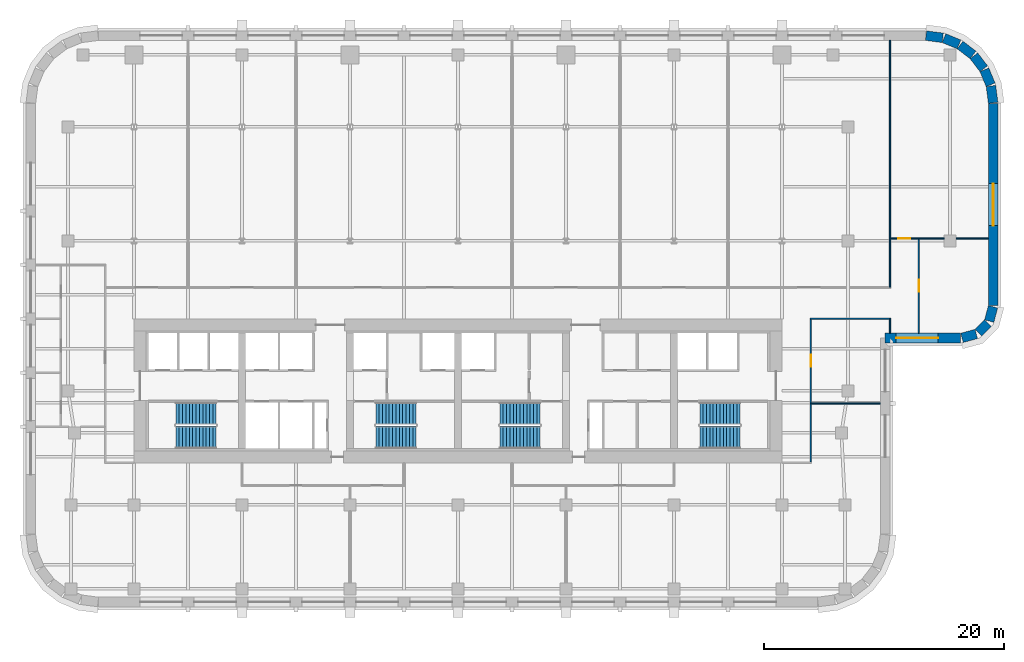
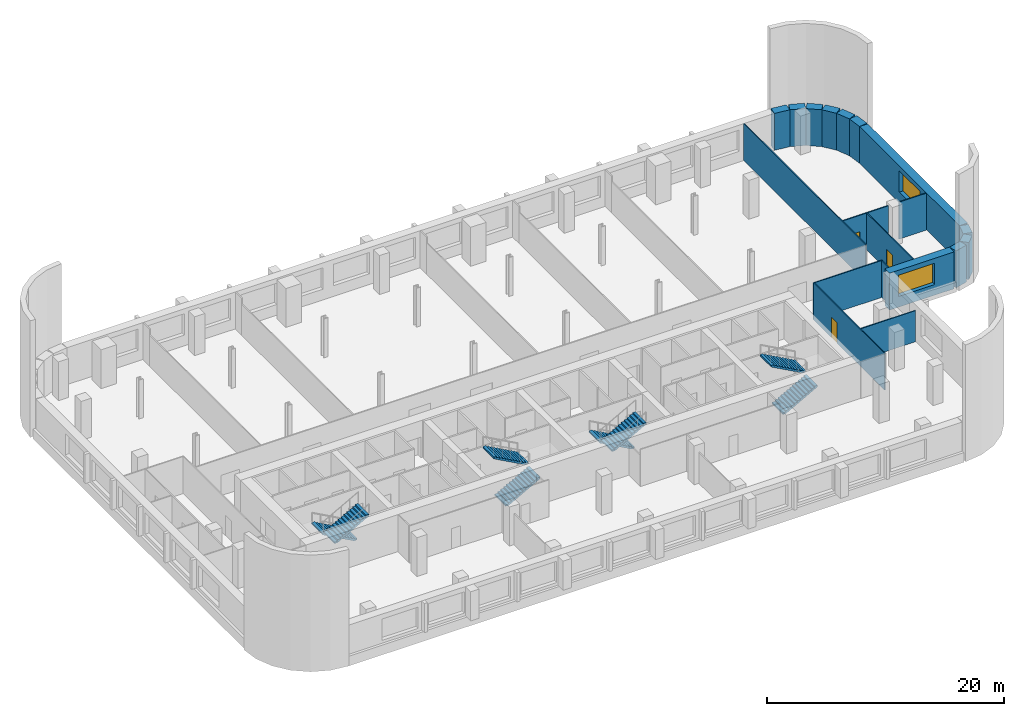
# One storey, part 7 of 9: 19 walls, 8 stair flights, 3 doors, 2 windows, 5 openings, 4 elements without a shape of their own.
"""IFC4 building model written with IfcOpenShell, lengths in metres."""

from ifc_helpers import new_model, si_unit, direction, frame, frame_2d, origin, place, context, subcontext, project, spatial, polyline, rectangle, outline, extrude, material, layer, layer_set, type_object, element, fill, aggregate, save


model = new_model("IFC4")

# Units and contexts
model_context = context("Model", 3, precision=1e-05, world=origin(), true_north=direction((0.0, 1.0)))
body_context = subcontext(model_context, "Body", "Model", "MODEL_VIEW")
ifc_project = project(units=[si_unit("LENGTHUNIT", "METRE"), si_unit("AREAUNIT", "SQUARE_METRE"), si_unit("VOLUMEUNIT", "CUBIC_METRE"), si_unit("PLANEANGLEUNIT", "RADIAN"), si_unit("MASSUNIT", "GRAM", prefix="KILO")], contexts=[model_context])

# Site, building, storey
site_placement = place(None, origin())
site = spatial("IfcSite", under=ifc_project, at=site_placement, CompositionType="ELEMENT")
building_placement = place(site_placement, origin())
building = spatial("IfcBuilding", under=site, at=building_placement, Name="Zellij Exchange Tower", CompositionType="ELEMENT")
storey_placement = place(building_placement, frame((0.0, 0.0, 132.5)))
storey = spatial("IfcBuildingStorey", under=building, at=storey_placement, Name="L29", CompositionType="ELEMENT", Elevation=132.5)

# Wall, opening, window
ifc_material_1 = material(Name="Precast concrete C40/50", Category="concrete")
ifc_layer_1 = layer(ifc_material_1, 0.800048828125)
ifc_layer_set_1 = layer_set([ifc_layer_1], Name="Precast concrete C40/50")
wall_type_1 = type_object("IfcWallType", Name="ENV-EW1 Precast stone-piered wall 800", PredefinedType="SOLIDWALL", material=ifc_layer_set_1)
wall_1_placement = place(storey_placement, frame((35.60009765625, -3.60009765625, 0.0), z_axis=(0.0, 0.0, 1.0), x_axis=(1.0, 0.0, 0.0)))
wall_1 = element("IfcWall", 1, at=wall_1_placement, inside=storey, type_object=wall_type_1, Name="fac.L29.08", PredefinedType="SOLIDWALL", context=body_context, shape_type="SweptSolid", body=[
    extrude(rectangle(XDim=6.29443359375, YDim=0.800048828125, at=frame_2d((3.147216796875, 0.0))), origin(), (0.0, 0.0, 1.0), 3.800048828125),
])
opening_1_placement = place(wall_1_placement, frame((0.89990234375, 0.0, 1.10009765625)))
opening_1 = element("IfcOpeningElement", 2, at=opening_1_placement, cuts=wall_1, Name="Opening FZ2.15", PredefinedType="OPENING", context=body_context, shape_type="SweptSolid", body=[
    extrude(rectangle(XDim=3.5, YDim=2.199951171875, at=frame_2d((1.75, 1.10009765625))), frame((0.0, 0.412109375, 0.0), z_axis=(0.0, -1.0, 0.0), x_axis=(1.0, 0.0, 0.0)), (0.0, 0.0, 1.0), 0.823974609375),
])
ifc_material_2 = material(Name="Aluminium frame with insulating glass", Category="aluminium")
window_type = type_object("IfcWindowType", Name="ENV-W7 Window 3500x2200", PartitioningType="SINGLE_PANEL", PredefinedType="WINDOW", material=ifc_material_2)
window_1_placement = place(opening_1_placement, origin())
window_1 = element("IfcWindow", 3, at=window_1_placement, inside=storey, type_object=window_type, Name="Window FZ2.15", OverallHeight=2.199951171875, OverallWidth=3.5, PartitioningType="SINGLE_PANEL", PredefinedType="WINDOW", context=body_context, shape_type="SweptSolid", body=[
    extrude(rectangle(XDim=3.5, YDim=2.199951171875, at=frame_2d((1.75, 1.10009765625))), frame((0.0, 0.030029296875, 0.0), z_axis=(0.0, -1.0, 0.0), x_axis=(1.0, 0.0, 0.0)), (0.0, 0.0, 1.0), 0.06005859375),
])
fill(opening_1, window_1)

# Walls
wall_2_placement = place(storey_placement, frame((41.998291015625, -3.58642578125, 0.0), z_axis=(0.0, 0.0, 1.0), x_axis=(0.965892366842, 0.258943885187, 0.0)))
element("IfcWall", 4, at=wall_2_placement, inside=storey, type_object=wall_type_1, Name="fac.L29.09", PredefinedType="SOLIDWALL", context=body_context, shape_type="SweptSolid", body=[
    extrude(rectangle(XDim=1.233154296875, YDim=0.800048828125, at=frame_2d((0.61669921875, 0.0))), origin(), (0.0, 0.0, 1.0), 3.800048828125),
])
wall_3_placement = place(storey_placement, frame((43.36865234375, -3.163818359375, 0.0), z_axis=(0.0, 0.0, 1.0), x_axis=(0.707106781187, 0.707106781187, 0.0)))
element("IfcWall", 5, at=wall_3_placement, inside=storey, type_object=wall_type_1, Name="fac.L29.10", PredefinedType="SOLIDWALL", context=body_context, shape_type="SweptSolid", body=[
    extrude(rectangle(XDim=1.12451171875, YDim=0.800048828125, at=frame_2d((0.562255859375, 0.0))), origin(), (0.0, 0.0, 1.0), 3.800048828125),
])
wall_4_placement = place(storey_placement, frame((44.26708984375, -2.189453125, 0.0), z_axis=(0.0, 0.0, 1.0), x_axis=(0.258943885187, 0.965892366842, 0.0)))
element("IfcWall", 6, at=wall_4_placement, inside=storey, type_object=wall_type_1, Name="fac.L29.11", PredefinedType="SOLIDWALL", context=body_context, shape_type="SweptSolid", body=[
    extrude(rectangle(XDim=1.233154296875, YDim=0.800048828125, at=frame_2d((0.61669921875, 0.0))), origin(), (0.0, 0.0, 1.0), 3.800048828125),
])

# Wall, opening, window
wall_5_placement = place(storey_placement, frame((44.60009765625, -0.89453125, 0.0), z_axis=(0.0, 0.0, 1.0), x_axis=(0.0, 1.0, 0.0)))
wall_5 = element("IfcWall", 7, at=wall_5_placement, inside=storey, type_object=wall_type_1, Name="fac.L29.12", PredefinedType="SOLIDWALL", context=body_context, shape_type="SweptSolid", body=[
    extrude(rectangle(XDim=16.842041015625, YDim=0.800048828125, at=frame_2d((8.4208984375, 0.0))), origin(), (0.0, 0.0, 1.0), 3.800048828125),
])
opening_2_placement = place(wall_5_placement, frame((6.657958984375, 0.0, 1.10009765625)))
opening_2 = element("IfcOpeningElement", 8, at=opening_2_placement, cuts=wall_5, Name="Opening FZ2.16", PredefinedType="OPENING", context=body_context, shape_type="SweptSolid", body=[
    extrude(rectangle(XDim=3.5, YDim=2.199951171875, at=frame_2d((1.75, 1.10009765625))), frame((0.0, 0.412109375, 0.0), z_axis=(0.0, -1.0, 0.0), x_axis=(1.0, 0.0, 0.0)), (0.0, 0.0, 1.0), 0.823974609375),
])
window_2_placement = place(opening_2_placement, origin())
window_2 = element("IfcWindow", 9, at=window_2_placement, inside=storey, type_object=window_type, Name="Window FZ2.16", OverallHeight=2.199951171875, OverallWidth=3.5, PartitioningType="SINGLE_PANEL", PredefinedType="WINDOW", context=body_context, shape_type="SweptSolid", body=[
    extrude(rectangle(XDim=3.5, YDim=2.199951171875, at=frame_2d((1.75, 1.10009765625))), frame((0.0, 0.030029296875, 0.0), z_axis=(0.0, -1.0, 0.0), x_axis=(1.0, 0.0, 0.0)), (0.0, 0.0, 1.0), 0.06005859375),
])
fill(opening_2, window_2)

# Walls
wall_6_placement = place(storey_placement, frame((44.5966796875, 15.999755859375, 0.0), z_axis=(0.0, 0.0, 1.0), x_axis=(-0.130517283865, 0.99144603414, 0.0)))
element("IfcWall", 10, at=wall_6_placement, inside=storey, type_object=wall_type_1, Name="fac.L29.13", PredefinedType="SOLIDWALL", context=body_context, shape_type="SweptSolid", body=[
    extrude(rectangle(XDim=1.408447265625, YDim=0.800048828125, at=frame_2d((0.7041015625, 0.0))), origin(), (0.0, 0.0, 1.0), 3.800048828125),
])
wall_7_placement = place(storey_placement, frame((44.3857421875, 17.497314453125, 0.0), z_axis=(0.0, 0.0, 1.0), x_axis=(-0.38276009378, 0.923847774587, 0.0)))
element("IfcWall", 11, at=wall_7_placement, inside=storey, type_object=wall_type_1, Name="fac.L29.14", PredefinedType="SOLIDWALL", context=body_context, shape_type="SweptSolid", body=[
    extrude(rectangle(XDim=1.35546875, YDim=0.800048828125, at=frame_2d((0.677734375, 0.0))), origin(), (0.0, 0.0, 1.0), 3.800048828125),
])
for number, where, z_axis, x_axis, name in (
    (12, (43.814697265625, 18.840087890625, 0.0), (0.0, 0.0, 1.0), (-0.608866226366, 0.793272915452, 0.0), "fac.L29.15"),
    (13, (42.91552734375, 19.9892578125, 0.0), (0.0, 0.0, 1.0), (-0.793272915452, 0.608866226366, 0.0), "fac.L29.16"),
):
    element("IfcWall", number, at=place(storey_placement, frame(where, z_axis=z_axis, x_axis=x_axis)), inside=storey, type_object=wall_type_1, Name=name, PredefinedType="SOLIDWALL", context=body_context, shape_type="SweptSolid", body=[
        extrude(rectangle(XDim=1.355712890625, YDim=0.800048828125, at=frame_2d((0.677734375, 0.0))), origin(), (0.0, 0.0, 1.0), 3.800048828125),
    ])
wall_8_placement = place(storey_placement, frame((41.74951171875, 20.866943359375, 0.0), z_axis=(0.0, 0.0, 1.0), x_axis=(-0.923847774587, 0.38276009378, 0.0)))
element("IfcWall", 14, at=wall_8_placement, inside=storey, type_object=wall_type_1, Name="fac.L29.17", PredefinedType="SOLIDWALL", context=body_context, shape_type="SweptSolid", body=[
    extrude(rectangle(XDim=1.35546875, YDim=0.800048828125, at=frame_2d((0.677734375, 0.0))), origin(), (0.0, 0.0, 1.0), 3.800048828125),
])
wall_9_placement = place(storey_placement, frame((40.396240234375, 21.412841796875, 0.0), z_axis=(0.0, 0.0, 1.0), x_axis=(-0.99144603414, 0.130517283865, 0.0)))
element("IfcWall", 15, at=wall_9_placement, inside=storey, type_object=wall_type_1, Name="fac.L29.18", PredefinedType="SOLIDWALL", context=body_context, shape_type="SweptSolid", body=[
    extrude(rectangle(XDim=1.408447265625, YDim=0.800048828125, at=frame_2d((0.7041015625, 0.0))), origin(), (0.0, 0.0, 1.0), 3.800048828125),
])

# Wall, opening, door
ifc_material_3 = material(Name="Gypsum board partition on steel studs", Category="steel")
ifc_layer_2 = layer(ifc_material_3, 0.10009765625)
ifc_layer_set_2 = layer_set([ifc_layer_2], Name="Gypsum board partition on steel studs")
wall_type_2 = type_object("IfcWallType", Name="FIT-PARTITION-100", PredefinedType="PARTITIONING", material=ifc_layer_set_2)
wall_10_placement = place(storey_placement, frame((29.39990234375, -13.949951171875, 0.0), z_axis=(0.0, 0.0, 1.0), x_axis=(0.0, 1.0, 0.0)))
wall_10 = element("IfcWall", 16, at=wall_10_placement, inside=storey, type_object=wall_type_2, Name="FIT-PARTITION-100 014", PredefinedType="PARTITIONING", context=body_context, shape_type="SweptSolid", body=[
    extrude(rectangle(XDim=11.89990234375, YDim=0.10009765625, at=frame_2d((5.949951171875, 0.0))), origin(), (0.0, 0.0, 1.0), 3.800048828125),
])
opening_3_placement = place(wall_10_placement, frame((7.93994140625, 0.0, 0.0)))
opening_3 = element("IfcOpeningElement", 17, at=opening_3_placement, cuts=wall_10, Name="Opening TG.05", PredefinedType="OPENING", context=body_context, shape_type="SweptSolid", body=[
    extrude(rectangle(XDim=1.0, YDim=2.10009765625, at=frame_2d((0.5, 1.050048828125))), frame((0.0, 0.06201171875, 0.0), z_axis=(0.0, -1.0, 0.0), x_axis=(1.0, 0.0, 0.0)), (0.0, 0.0, 1.0), 0.1240234375),
])
ifc_material_4 = material(Name="Timber door set", Category="wood")
door_type = type_object("IfcDoorType", Name="FIT-D2-WIDE-1000X2100", OperationType="SINGLE_SWING_LEFT", PredefinedType="DOOR", material=ifc_material_4)
door_1_placement = place(opening_3_placement, origin())
door_1 = element("IfcDoor", 18, at=door_1_placement, inside=storey, type_object=door_type, Name="Door TG.05", OperationType="SINGLE_SWING_RIGHT", OverallHeight=2.10009765625, OverallWidth=1.0, PredefinedType="DOOR", context=body_context, shape_type="SweptSolid", body=[
    extrude(rectangle(XDim=1.0, YDim=2.10009765625, at=frame_2d((0.5, 1.050048828125))), frame((0.0, 0.02490234375, 0.0), z_axis=(0.0, -1.0, 0.0), x_axis=(1.0, 0.0, 0.0)), (0.0, 0.0, 1.0), 0.050048828125),
])
fill(opening_3, door_1)

# Walls
wall_11_placement = place(storey_placement, frame((29.449951171875, -9.06005859375, 0.0), z_axis=(0.0, 0.0, 1.0), x_axis=(1.0, 0.0, 0.0)))
element("IfcWall", 19, at=wall_11_placement, inside=storey, type_object=wall_type_2, Name="FIT-PARTITION-100 018", PredefinedType="PARTITIONING", context=body_context, shape_type="SweptSolid", body=[
    extrude(rectangle(XDim=5.75, YDim=0.10009765625, at=frame_2d((2.875, 0.0))), origin(), (0.0, 0.0, 1.0), 3.197998046875),
])
wall_12_placement = place(storey_placement, frame((36.0, -3.199951171875, 0.0), z_axis=(0.0, 0.0, 1.0), x_axis=(0.0, 1.0, 0.0)))
element("IfcWall", 20, at=wall_12_placement, inside=storey, type_object=wall_type_2, Name="FIT-PARTITION-100 020", PredefinedType="PARTITIONING", context=body_context, shape_type="SweptSolid", body=[
    extrude(rectangle(XDim=1.14990234375, YDim=0.10009765625, at=frame_2d((0.574951171875, 0.0))), origin(), (0.0, 0.0, 1.0), 3.800048828125),
])

# Wall, opening, door
wall_13_placement = place(storey_placement, frame((38.39990234375, -3.199951171875, 0.0), z_axis=(0.0, 0.0, 1.0), x_axis=(0.0, 1.0, 0.0)))
wall_13 = element("IfcWall", 21, at=wall_13_placement, inside=storey, type_object=wall_type_2, Name="FIT-PARTITION-100 021", PredefinedType="PARTITIONING", context=body_context, shape_type="SweptSolid", body=[
    extrude(rectangle(XDim=7.83984375, YDim=0.10009765625, at=frame_2d((3.919921875, 0.0))), origin(), (0.0, 0.0, 1.0), 3.800048828125),
])
opening_4_placement = place(wall_13_placement, frame((3.449951171875, 0.0, 0.0)))
opening_4 = element("IfcOpeningElement", 22, at=opening_4_placement, cuts=wall_13, Name="Opening TG.16", PredefinedType="OPENING", context=body_context, shape_type="SweptSolid", body=[
    extrude(rectangle(XDim=1.0, YDim=2.10009765625, at=frame_2d((0.5, 1.050048828125))), frame((0.0, 0.06201171875, 0.0), z_axis=(0.0, -1.0, 0.0), x_axis=(1.0, 0.0, 0.0)), (0.0, 0.0, 1.0), 0.1240234375),
])
door_2_placement = place(opening_4_placement, origin())
door_2 = element("IfcDoor", 23, at=door_2_placement, inside=storey, type_object=door_type, Name="Door TG.16", OperationType="SINGLE_SWING_RIGHT", OverallHeight=2.10009765625, OverallWidth=1.0, PredefinedType="DOOR", context=body_context, shape_type="SweptSolid", body=[
    extrude(rectangle(XDim=1.0, YDim=2.10009765625, at=frame_2d((0.5, 1.050048828125))), frame((0.0, 0.02490234375, 0.0), z_axis=(0.0, -1.0, 0.0), x_axis=(1.0, 0.0, 0.0)), (0.0, 0.0, 1.0), 0.050048828125),
])
fill(opening_4, door_2)

# Walls
wall_14_placement = place(storey_placement, frame((29.35009765625, -2.0, 0.0), z_axis=(0.0, 0.0, 1.0), x_axis=(1.0, 0.0, 0.0)))
element("IfcWall", 24, at=wall_14_placement, inside=storey, type_object=wall_type_2, Name="FIT-PARTITION-100 023", PredefinedType="PARTITIONING", context=body_context, shape_type="SweptSolid", body=[
    extrude(rectangle(XDim=6.699951171875, YDim=0.10009765625, at=frame_2d((3.35009765625, 0.0))), origin(), (0.0, 0.0, 1.0), 3.800048828125),
])
wall_15_placement = place(storey_placement, frame((36.0, 0.64990234375, 0.0), z_axis=(0.0, 0.0, 1.0), x_axis=(0.0, 1.0, 0.0)))
element("IfcWall", 25, at=wall_15_placement, inside=storey, type_object=wall_type_2, Name="FIT-PARTITION-100 035", PredefinedType="PARTITIONING", context=body_context, shape_type="SweptSolid", body=[
    extrude(rectangle(XDim=20.550048828125, YDim=0.10009765625, at=frame_2d((10.27490234375, 0.0))), origin(), (0.0, 0.0, 1.0), 3.800048828125),
])

# Wall, opening, door
wall_16_placement = place(storey_placement, frame((36.050048828125, 4.68994140625, 0.0), z_axis=(0.0, 0.0, 1.0), x_axis=(1.0, 0.0, 0.0)))
wall_16 = element("IfcWall", 26, at=wall_16_placement, inside=storey, type_object=wall_type_2, Name="FIT-PARTITION-100 037", PredefinedType="PARTITIONING", context=body_context, shape_type="SweptSolid", body=[
    extrude(rectangle(XDim=4.449951171875, YDim=0.10009765625, at=frame_2d((2.22509765625, 0.0))), origin(), (0.0, 0.0, 1.0), 3.800048828125),
])
opening_5_placement = place(wall_16_placement, frame((0.64990234375, 0.0, 0.0)))
opening_5 = element("IfcOpeningElement", 27, at=opening_5_placement, cuts=wall_16, Name="Opening TG.17", PredefinedType="OPENING", context=body_context, shape_type="SweptSolid", body=[
    extrude(rectangle(XDim=1.0, YDim=2.10009765625, at=frame_2d((0.5, 1.050048828125))), frame((0.0, 0.06201171875, 0.0), z_axis=(0.0, -1.0, 0.0), x_axis=(1.0, 0.0, 0.0)), (0.0, 0.0, 1.0), 0.1240234375),
])
door_3_placement = place(opening_5_placement, origin())
door_3 = element("IfcDoor", 28, at=door_3_placement, inside=storey, type_object=door_type, Name="Door TG.17", OperationType="SINGLE_SWING_LEFT", OverallHeight=2.10009765625, OverallWidth=1.0, PredefinedType="DOOR", context=body_context, shape_type="SweptSolid", body=[
    extrude(rectangle(XDim=1.0, YDim=2.10009765625, at=frame_2d((0.5, 1.050048828125))), frame((0.0, 0.02490234375, 0.0), z_axis=(0.0, -1.0, 0.0), x_axis=(1.0, 0.0, 0.0)), (0.0, 0.0, 1.0), 0.050048828125),
])
fill(opening_5, door_3)

# Wall
wall_17_placement = place(storey_placement, frame((41.5, 4.68994140625, 0.0), z_axis=(0.0, 0.0, 1.0), x_axis=(1.0, 0.0, 0.0)))
element("IfcWall", 29, at=wall_17_placement, inside=storey, type_object=wall_type_2, Name="FIT-PARTITION-100 038", PredefinedType="PARTITIONING", context=body_context, shape_type="SweptSolid", body=[
    extrude(rectangle(XDim=2.699951171875, YDim=0.10009765625, at=frame_2d((1.35009765625, 0.0))), origin(), (0.0, 0.0, 1.0), 3.800048828125),
])

# Stair, stair flights
ifc_material_5 = material(Name="Concrete C40/50", Category="concrete")
stair_type = type_object("IfcStairType", Name="CORE-ST exit stair 1850 wide", PredefinedType="HALF_TURN_STAIR", material=ifc_material_5)
stair_1_placement = place(storey_placement, origin())
stair_1 = element("IfcStair", 30, at=stair_1_placement, inside=storey, type_object=stair_type, Name="L29 exit stair ST1", PredefinedType="HALF_TURN_STAIR")
stair_flight_type = type_object("IfcStairFlightType", Name="CORE-SF flight 1850 riser 153.8 going 280", PredefinedType="STRAIGHT", material=ifc_material_5)
stair_flight_1_placement = place(storey_placement, frame((-20.14990234375, -9.875, 0.0), z_axis=(0.0, 0.0, 1.0), x_axis=(-1.0, 0.0, 0.0)))
stair_flight_1 = element("IfcStairFlight", 31, at=stair_flight_1_placement, type_object=stair_flight_type, Name="ST1 flight 1", NumberOfRisers=13, NumberOfTreads=12, PredefinedType="STRAIGHT", RiserHeight=0.153846154, TreadLength=0.28, context=body_context, shape_type="SweptSolid", body=[
    extrude(outline(polyline([(0.0, 0.0), (0.0, 0.15380859375), (0.280029296875, 0.15380859375), (0.280029296875, 0.3076171875), (0.56005859375, 0.3076171875), (0.56005859375, 0.46142578125), (0.840087890625, 0.46142578125), (0.840087890625, 0.615478515625), (1.1201171875, 0.615478515625), (1.1201171875, 0.769287109375), (1.39990234375, 0.769287109375), (1.39990234375, 0.923095703125), (1.679931640625, 0.923095703125), (1.679931640625, 1.076904296875), (1.9599609375, 1.076904296875), (1.9599609375, 1.230712890625), (2.239990234375, 1.230712890625), (2.239990234375, 1.384521484375), (2.52001953125, 1.384521484375), (2.52001953125, 1.53857421875), (2.800048828125, 1.53857421875), (2.800048828125, 1.6923828125), (3.080078125, 1.6923828125), (3.080078125, 1.84619140625), (3.360107421875, 1.84619140625), (3.360107421875, 2.0), (3.360107421875, 1.675048828125), (0.311279296875, 0.0), (0.0, 0.0)])), frame((0.0, 0.925048828125, 0.0), z_axis=(0.0, -1.0, 0.0), x_axis=(1.0, 0.0, 0.0)), (0.0, 0.0, 1.0), 1.85009765625),
])
stair_flight_2_placement = place(storey_placement, frame((-23.510009765625, -11.875, 2.0), z_axis=(0.0, 0.0, 1.0), x_axis=(1.0, 0.0, 0.0)))
stair_flight_2 = element("IfcStairFlight", 32, at=stair_flight_2_placement, type_object=stair_flight_type, Name="ST1 flight 2", NumberOfRisers=13, NumberOfTreads=12, PredefinedType="STRAIGHT", RiserHeight=0.153846154, TreadLength=0.28, context=body_context, shape_type="SweptSolid", body=[
    extrude(outline(polyline([(0.0, 0.0), (0.0, 0.15380859375), (0.280029296875, 0.15380859375), (0.280029296875, 0.3076171875), (0.56005859375, 0.3076171875), (0.56005859375, 0.46142578125), (0.840087890625, 0.46142578125), (0.840087890625, 0.615478515625), (1.1201171875, 0.615478515625), (1.1201171875, 0.769287109375), (1.39990234375, 0.769287109375), (1.39990234375, 0.923095703125), (1.679931640625, 0.923095703125), (1.679931640625, 1.076904296875), (1.9599609375, 1.076904296875), (1.9599609375, 1.230712890625), (2.239990234375, 1.230712890625), (2.239990234375, 1.384521484375), (2.52001953125, 1.384521484375), (2.52001953125, 1.53857421875), (2.800048828125, 1.53857421875), (2.800048828125, 1.6923828125), (3.080078125, 1.6923828125), (3.080078125, 1.84619140625), (3.360107421875, 1.84619140625), (3.360107421875, 2.0), (3.360107421875, 1.675048828125), (0.311279296875, 0.0), (0.0, 0.0)])), frame((0.0, 0.925048828125, 0.0), z_axis=(0.0, -1.0, 0.0), x_axis=(1.0, 0.0, 0.0)), (0.0, 0.0, 1.0), 1.85009765625),
])
aggregate(stair_1, [stair_flight_1, stair_flight_2])

stair_2_placement = place(storey_placement, origin())
stair_2 = element("IfcStair", 33, at=stair_2_placement, inside=storey, type_object=stair_type, Name="L29 exit stair ST2", PredefinedType="HALF_TURN_STAIR")
stair_flight_3_placement = place(storey_placement, frame((-6.85009765625, -11.875, 0.0), z_axis=(0.0, 0.0, 1.0), x_axis=(1.0, 0.0, 0.0)))
stair_flight_3 = element("IfcStairFlight", 34, at=stair_flight_3_placement, type_object=stair_flight_type, Name="ST2 flight 1", NumberOfRisers=13, NumberOfTreads=12, PredefinedType="STRAIGHT", RiserHeight=0.153846154, TreadLength=0.28, context=body_context, shape_type="SweptSolid", body=[
    extrude(outline(polyline([(0.0, 0.0), (0.0, 0.15380859375), (0.280029296875, 0.15380859375), (0.280029296875, 0.3076171875), (0.56005859375, 0.3076171875), (0.56005859375, 0.46142578125), (0.840087890625, 0.46142578125), (0.840087890625, 0.615478515625), (1.1201171875, 0.615478515625), (1.1201171875, 0.769287109375), (1.39990234375, 0.769287109375), (1.39990234375, 0.923095703125), (1.679931640625, 0.923095703125), (1.679931640625, 1.076904296875), (1.9599609375, 1.076904296875), (1.9599609375, 1.230712890625), (2.239990234375, 1.230712890625), (2.239990234375, 1.384521484375), (2.52001953125, 1.384521484375), (2.52001953125, 1.53857421875), (2.800048828125, 1.53857421875), (2.800048828125, 1.6923828125), (3.080078125, 1.6923828125), (3.080078125, 1.84619140625), (3.360107421875, 1.84619140625), (3.360107421875, 2.0), (3.360107421875, 1.675048828125), (0.311279296875, 0.0), (0.0, 0.0)])), frame((0.0, 0.925048828125, 0.0), z_axis=(0.0, -1.0, 0.0), x_axis=(1.0, 0.0, 0.0)), (0.0, 0.0, 1.0), 1.85009765625),
])
stair_flight_4_placement = place(storey_placement, frame((-3.489990234375, -9.875, 2.0), z_axis=(0.0, 0.0, 1.0), x_axis=(-1.0, 0.0, 0.0)))
stair_flight_4 = element("IfcStairFlight", 35, at=stair_flight_4_placement, type_object=stair_flight_type, Name="ST2 flight 2", NumberOfRisers=13, NumberOfTreads=12, PredefinedType="STRAIGHT", RiserHeight=0.153846154, TreadLength=0.28, context=body_context, shape_type="SweptSolid", body=[
    extrude(outline(polyline([(0.0, 0.0), (0.0, 0.15380859375), (0.280029296875, 0.15380859375), (0.280029296875, 0.3076171875), (0.56005859375, 0.3076171875), (0.56005859375, 0.46142578125), (0.840087890625, 0.46142578125), (0.840087890625, 0.615478515625), (1.1201171875, 0.615478515625), (1.1201171875, 0.769287109375), (1.39990234375, 0.769287109375), (1.39990234375, 0.923095703125), (1.679931640625, 0.923095703125), (1.679931640625, 1.076904296875), (1.9599609375, 1.076904296875), (1.9599609375, 1.230712890625), (2.239990234375, 1.230712890625), (2.239990234375, 1.384521484375), (2.52001953125, 1.384521484375), (2.52001953125, 1.53857421875), (2.800048828125, 1.53857421875), (2.800048828125, 1.6923828125), (3.080078125, 1.6923828125), (3.080078125, 1.84619140625), (3.360107421875, 1.84619140625), (3.360107421875, 2.0), (3.360107421875, 1.675048828125), (0.311279296875, 0.0), (0.0, 0.0)])), frame((0.0, 0.925048828125, 0.0), z_axis=(0.0, -1.0, 0.0), x_axis=(1.0, 0.0, 0.0)), (0.0, 0.0, 1.0), 1.85009765625),
])
aggregate(stair_2, [stair_flight_3, stair_flight_4])

stair_3_placement = place(storey_placement, origin())
stair_3 = element("IfcStair", 36, at=stair_3_placement, inside=storey, type_object=stair_type, Name="L29 exit stair ST3", PredefinedType="HALF_TURN_STAIR")
stair_flight_5_placement = place(storey_placement, frame((6.85009765625, -9.875, 0.0), z_axis=(0.0, 0.0, 1.0), x_axis=(-1.0, 0.0, 0.0)))
stair_flight_5 = element("IfcStairFlight", 37, at=stair_flight_5_placement, type_object=stair_flight_type, Name="ST3 flight 1", NumberOfRisers=13, NumberOfTreads=12, PredefinedType="STRAIGHT", RiserHeight=0.153846154, TreadLength=0.28, context=body_context, shape_type="SweptSolid", body=[
    extrude(outline(polyline([(0.0, 0.0), (0.0, 0.15380859375), (0.280029296875, 0.15380859375), (0.280029296875, 0.3076171875), (0.56005859375, 0.3076171875), (0.56005859375, 0.46142578125), (0.840087890625, 0.46142578125), (0.840087890625, 0.615478515625), (1.1201171875, 0.615478515625), (1.1201171875, 0.769287109375), (1.39990234375, 0.769287109375), (1.39990234375, 0.923095703125), (1.679931640625, 0.923095703125), (1.679931640625, 1.076904296875), (1.9599609375, 1.076904296875), (1.9599609375, 1.230712890625), (2.239990234375, 1.230712890625), (2.239990234375, 1.384521484375), (2.52001953125, 1.384521484375), (2.52001953125, 1.53857421875), (2.800048828125, 1.53857421875), (2.800048828125, 1.6923828125), (3.080078125, 1.6923828125), (3.080078125, 1.84619140625), (3.360107421875, 1.84619140625), (3.360107421875, 2.0), (3.360107421875, 1.675048828125), (0.311279296875, 0.0), (0.0, 0.0)])), frame((0.0, 0.925048828125, 0.0), z_axis=(0.0, -1.0, 0.0), x_axis=(1.0, 0.0, 0.0)), (0.0, 0.0, 1.0), 1.85009765625),
])
stair_flight_6_placement = place(storey_placement, frame((3.489990234375, -11.875, 2.0), z_axis=(0.0, 0.0, 1.0), x_axis=(1.0, 0.0, 0.0)))
stair_flight_6 = element("IfcStairFlight", 38, at=stair_flight_6_placement, type_object=stair_flight_type, Name="ST3 flight 2", NumberOfRisers=13, NumberOfTreads=12, PredefinedType="STRAIGHT", RiserHeight=0.153846154, TreadLength=0.28, context=body_context, shape_type="SweptSolid", body=[
    extrude(outline(polyline([(0.0, 0.0), (0.0, 0.15380859375), (0.280029296875, 0.15380859375), (0.280029296875, 0.3076171875), (0.56005859375, 0.3076171875), (0.56005859375, 0.46142578125), (0.840087890625, 0.46142578125), (0.840087890625, 0.615478515625), (1.1201171875, 0.615478515625), (1.1201171875, 0.769287109375), (1.39990234375, 0.769287109375), (1.39990234375, 0.923095703125), (1.679931640625, 0.923095703125), (1.679931640625, 1.076904296875), (1.9599609375, 1.076904296875), (1.9599609375, 1.230712890625), (2.239990234375, 1.230712890625), (2.239990234375, 1.384521484375), (2.52001953125, 1.384521484375), (2.52001953125, 1.53857421875), (2.800048828125, 1.53857421875), (2.800048828125, 1.6923828125), (3.080078125, 1.6923828125), (3.080078125, 1.84619140625), (3.360107421875, 1.84619140625), (3.360107421875, 2.0), (3.360107421875, 1.675048828125), (0.311279296875, 0.0), (0.0, 0.0)])), frame((0.0, 0.925048828125, 0.0), z_axis=(0.0, -1.0, 0.0), x_axis=(1.0, 0.0, 0.0)), (0.0, 0.0, 1.0), 1.85009765625),
])
aggregate(stair_3, [stair_flight_5, stair_flight_6])

stair_4_placement = place(storey_placement, origin())
stair_4 = element("IfcStair", 39, at=stair_4_placement, inside=storey, type_object=stair_type, Name="L29 exit stair ST4", PredefinedType="HALF_TURN_STAIR")
stair_flight_7_placement = place(storey_placement, frame((20.14990234375, -11.875, 0.0), z_axis=(0.0, 0.0, 1.0), x_axis=(1.0, 0.0, 0.0)))
stair_flight_7 = element("IfcStairFlight", 40, at=stair_flight_7_placement, type_object=stair_flight_type, Name="ST4 flight 1", NumberOfRisers=13, NumberOfTreads=12, PredefinedType="STRAIGHT", RiserHeight=0.153846154, TreadLength=0.28, context=body_context, shape_type="SweptSolid", body=[
    extrude(outline(polyline([(0.0, 0.0), (0.0, 0.15380859375), (0.280029296875, 0.15380859375), (0.280029296875, 0.3076171875), (0.56005859375, 0.3076171875), (0.56005859375, 0.46142578125), (0.840087890625, 0.46142578125), (0.840087890625, 0.615478515625), (1.1201171875, 0.615478515625), (1.1201171875, 0.769287109375), (1.39990234375, 0.769287109375), (1.39990234375, 0.923095703125), (1.679931640625, 0.923095703125), (1.679931640625, 1.076904296875), (1.9599609375, 1.076904296875), (1.9599609375, 1.230712890625), (2.239990234375, 1.230712890625), (2.239990234375, 1.384521484375), (2.52001953125, 1.384521484375), (2.52001953125, 1.53857421875), (2.800048828125, 1.53857421875), (2.800048828125, 1.6923828125), (3.080078125, 1.6923828125), (3.080078125, 1.84619140625), (3.360107421875, 1.84619140625), (3.360107421875, 2.0), (3.360107421875, 1.675048828125), (0.311279296875, 0.0), (0.0, 0.0)])), frame((0.0, 0.925048828125, 0.0), z_axis=(0.0, -1.0, 0.0), x_axis=(1.0, 0.0, 0.0)), (0.0, 0.0, 1.0), 1.85009765625),
])
stair_flight_8_placement = place(storey_placement, frame((23.510009765625, -9.875, 2.0), z_axis=(0.0, 0.0, 1.0), x_axis=(-1.0, 0.0, 0.0)))
stair_flight_8 = element("IfcStairFlight", 41, at=stair_flight_8_placement, type_object=stair_flight_type, Name="ST4 flight 2", NumberOfRisers=13, NumberOfTreads=12, PredefinedType="STRAIGHT", RiserHeight=0.153846154, TreadLength=0.28, context=body_context, shape_type="SweptSolid", body=[
    extrude(outline(polyline([(0.0, 0.0), (0.0, 0.15380859375), (0.280029296875, 0.15380859375), (0.280029296875, 0.3076171875), (0.56005859375, 0.3076171875), (0.56005859375, 0.46142578125), (0.840087890625, 0.46142578125), (0.840087890625, 0.615478515625), (1.1201171875, 0.615478515625), (1.1201171875, 0.769287109375), (1.39990234375, 0.769287109375), (1.39990234375, 0.923095703125), (1.679931640625, 0.923095703125), (1.679931640625, 1.076904296875), (1.9599609375, 1.076904296875), (1.9599609375, 1.230712890625), (2.239990234375, 1.230712890625), (2.239990234375, 1.384521484375), (2.52001953125, 1.384521484375), (2.52001953125, 1.53857421875), (2.800048828125, 1.53857421875), (2.800048828125, 1.6923828125), (3.080078125, 1.6923828125), (3.080078125, 1.84619140625), (3.360107421875, 1.84619140625), (3.360107421875, 2.0), (3.360107421875, 1.675048828125), (0.311279296875, 0.0), (0.0, 0.0)])), frame((0.0, 0.925048828125, 0.0), z_axis=(0.0, -1.0, 0.0), x_axis=(1.0, 0.0, 0.0)), (0.0, 0.0, 1.0), 1.85009765625),
])
aggregate(stair_4, [stair_flight_7, stair_flight_8])

save(model, "model.ifc")
